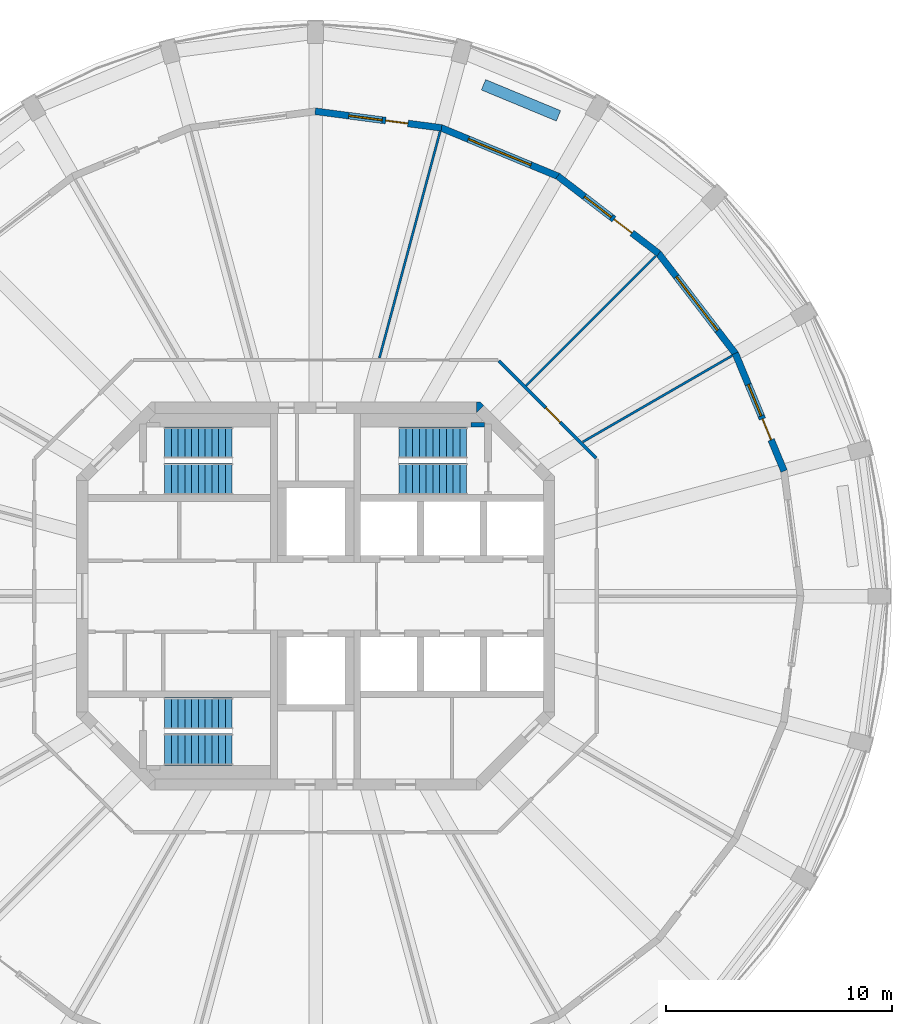
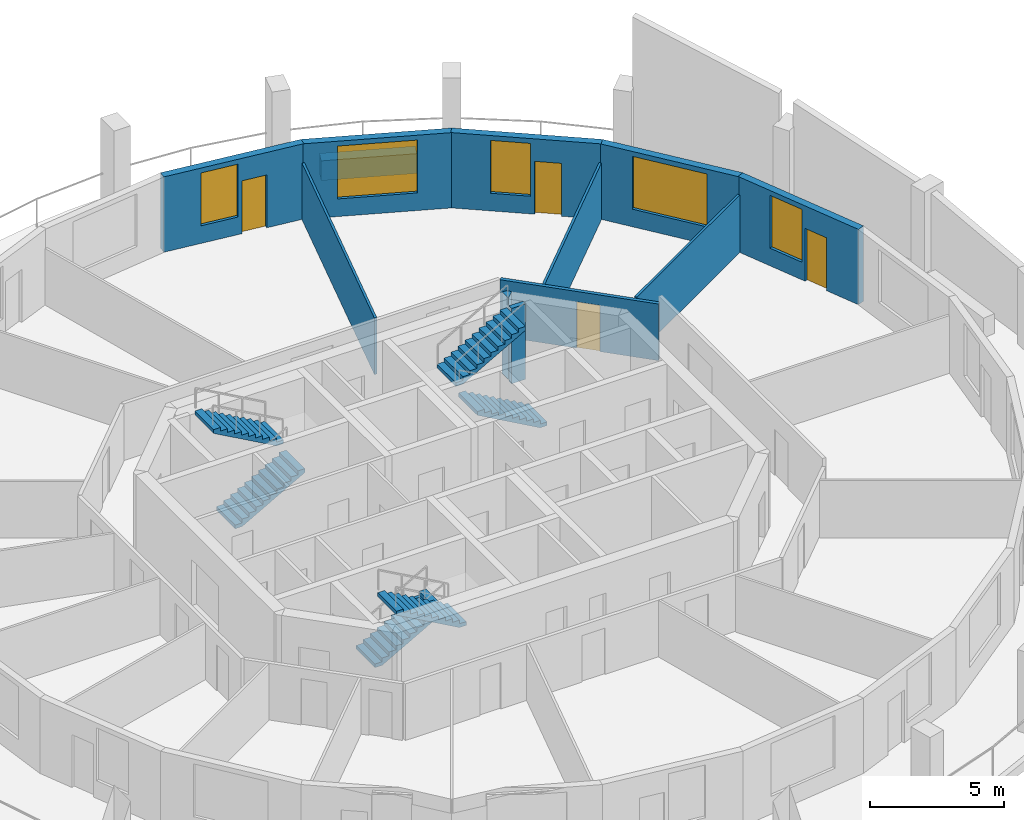
# One storey, part 6 of 8: 12 walls, 6 stair flights, 5 windows, 4 doors, 9 openings, 3 elements without a shape of their own.
"""IFC4 building model written with IfcOpenShell, lengths in metres."""

import ifcopenshell
import ifcopenshell.guid

model = None  # the IFC model being written
_history = None  # IfcOwnerHistory: only IFC2X3 demands one
_inside = {}  # id of a spatial element -> (the spatial element, [elements in it])
_under = {}  # id of a project, library or spatial element -> (it, [spatial elements below it])
_declared = {}  # id of a project -> (the project, [libraries it declares])
_typed = {}  # id of a type object -> (the type object, [elements of that type])
_made_of = {}  # id of a material, layer set ... -> (it, [elements and type objects made of it])


def new_model(schema):
    """Start an empty IFC model of exactly this schema.

    Asked for "IFC4X3", IfcOpenShell would pick the latest addendum, in which some entities
    have other attributes; the version numbers below select the first issue.
    IFC2X3 requires an IfcOwnerHistory on every rooted entity: one is made here for all.
    """
    global model, _history
    if schema == "IFC4X3":
        model = ifcopenshell.file(schema_version=(4, 3, 0, 0))
    else:
        model = ifcopenshell.file(schema=schema)
    _inside.clear()
    _under.clear()
    _declared.clear()
    _typed.clear()
    _made_of.clear()
    _history = None
    if model.schema == "IFC2X3":
        org = make("IfcOrganization", Name="unknown")
        user = make(
            "IfcPersonAndOrganization",
            ThePerson=make("IfcPerson", FamilyName="unknown"),
            TheOrganization=org,
        )
        app = make(
            "IfcApplication",
            ApplicationDeveloper=org,
            Version="unknown",
            ApplicationFullName="unknown",
            ApplicationIdentifier="unknown",
        )
        _history = make(
            "IfcOwnerHistory",
            OwningUser=user,
            OwningApplication=app,
            ChangeAction="ADDED",
            CreationDate=0,
        )
    return model


def make(cls, **values):
    """One entity of the class cls with the attributes given. An attribute that is None is left unset."""
    return model.create_entity(
        cls, **{name: value for name, value in values.items() if value is not None}
    )


def rooted(cls, **values):
    """An entity with a GlobalId (a new one), such as an element, a storey or a relation."""
    return make(cls, GlobalId=ifcopenshell.guid.new(), OwnerHistory=_history, **values)


def si_unit(unit_type, name, prefix=None):
    """IfcSIUnit, for example si_unit("LENGTHUNIT", "METRE", prefix="MILLI")."""
    return make("IfcSIUnit", UnitType=unit_type, Prefix=prefix, Name=name)


def assignment(units):
    """IfcUnitAssignment: the units of a project."""
    return None if units is None else make("IfcUnitAssignment", Units=units)


def point(xyz):
    """IfcCartesianPoint."""
    return None if xyz is None else make("IfcCartesianPoint", Coordinates=xyz)


def direction(xyz):
    """IfcDirection."""
    return None if xyz is None else make("IfcDirection", DirectionRatios=xyz)


def frame(location, z_axis=None, x_axis=None):
    """IfcAxis2Placement3D, a coordinate frame: its origin and axes. An axis left out is left unset."""
    return make(
        "IfcAxis2Placement3D",
        Location=point(location),
        Axis=direction(z_axis),
        RefDirection=direction(x_axis),
    )


def frame_2d(location, x_axis=None):
    """IfcAxis2Placement2D, a coordinate frame in the plane: its origin and x axis."""
    return make(
        "IfcAxis2Placement2D", Location=point(location), RefDirection=direction(x_axis)
    )


def origin():
    """The frame at (0, 0, 0) with its axes left unset."""
    return frame((0.0, 0.0, 0.0))


def place(relative_to, where):
    """IfcLocalPlacement: puts the frame where relative to a parent placement (None: the world)."""
    return make(
        "IfcLocalPlacement", PlacementRelTo=relative_to, RelativePlacement=where
    )


def context(
    kind, dimensions, precision=None, world=None, true_north=None, identifier=None
):
    """IfcGeometricRepresentationContext, for example the 3D "Model" context."""
    return make(
        "IfcGeometricRepresentationContext",
        ContextIdentifier=identifier,
        ContextType=kind,
        CoordinateSpaceDimension=dimensions,
        Precision=precision,
        WorldCoordinateSystem=world,
        TrueNorth=true_north,
    )


def subcontext(parent, identifier, kind, view, scale=None):
    """IfcGeometricRepresentationSubContext, for example "Body" below "Model"."""
    return make(
        "IfcGeometricRepresentationSubContext",
        ContextIdentifier=identifier,
        ContextType=kind,
        ParentContext=parent,
        TargetScale=scale,
        TargetView=view,
    )


def project(units=None, contexts=None):
    """IfcProject with its units and contexts."""
    return rooted(
        "IfcProject",
        Name="project",
        RepresentationContexts=contexts,
        UnitsInContext=assignment(units),
    )


def spatial(cls, under=None, at=None, **own):
    """A site, building, storey or space (cls), placed at a placement, below another one or the project."""
    s = rooted(cls, ObjectPlacement=at, **own)
    if under is not None:
        _under.setdefault(under.id(), (under, []))[1].append(s)
    return s


def polyline(points):
    """IfcPolyline through the points."""
    return make("IfcPolyline", Points=[point(p) for p in points])


def profile(cls, at=None, kind="AREA", **sizes):
    """A parametric profile (cls). Its sizes go by their IFC names, for example OverallWidth=200.0."""
    return make(cls, ProfileType=kind, Position=at, **sizes)


def rectangle(**sizes):
    """IfcRectangleProfileDef."""
    return profile("IfcRectangleProfileDef", **sizes)


def outline(outer, holes=None, kind="AREA"):
    """IfcArbitraryClosedProfileDef: a profile drawn as a closed curve; with holes, ...WithVoids."""
    if holes is None:
        return make("IfcArbitraryClosedProfileDef", ProfileType=kind, OuterCurve=outer)
    return make(
        "IfcArbitraryProfileDefWithVoids",
        ProfileType=kind,
        OuterCurve=outer,
        InnerCurves=holes,
    )


def extrude(swept, where, along, depth):
    """IfcExtrudedAreaSolid: the profile swept, set in the frame where, extruded along a direction by depth."""
    return make(
        "IfcExtrudedAreaSolid",
        SweptArea=swept,
        Position=where,
        ExtrudedDirection=direction(along),
        Depth=depth,
    )


def shape(context_of_items, identifier, shape_type, items):
    """IfcShapeRepresentation: the items that make up one representation, for example the "Body"."""
    return make(
        "IfcShapeRepresentation",
        ContextOfItems=context_of_items,
        RepresentationIdentifier=identifier,
        RepresentationType=shape_type,
        Items=items,
    )


def material(Name=None, Category=None):
    """IfcMaterial."""
    return make("IfcMaterial", Name=Name, Category=Category)


def layer(
    of_material, thickness, ventilated=None, Name=None, Category=None, Priority=None
):
    """IfcMaterialLayer: one layer of a wall or slab, of a material (None: an air gap)."""
    return make(
        "IfcMaterialLayer",
        Material=of_material,
        LayerThickness=thickness,
        IsVentilated=ventilated,
        Name=Name,
        Category=Category,
        Priority=Priority,
    )


def layer_set(layers, Name=None):
    """IfcMaterialLayerSet."""
    return make("IfcMaterialLayerSet", MaterialLayers=layers, LayerSetName=Name)


def made_of(thing, what):
    """Note that an element or type object is made of a material, layer set ...; save() writes the relation."""
    if what is not None:
        _made_of.setdefault(what.id(), (what, []))[1].append(thing)
    return thing


def type_object(cls, material=None, **own):
    """A type object (cls), such as IfcWallType, which elements share."""
    return made_of(rooted(cls, **own), material)


def element(
    cls,
    number,
    at=None,
    inside=None,
    cuts=None,
    type_object=None,
    material=None,
    context=None,
    identifier="Body",
    shape_type=None,
    held_by="IfcProductDefinitionShape",
    body=None,
    shapes=None,
    **own,
):
    """One element of the class cls, such as IfcWall. Its Tag is "e" and its number.

    at: its placement. inside: the storey or other place that contains it. cuts: it is an
    opening in that element (IfcRelVoidsElement). A single representation is given by context,
    identifier, shape_type and body (its items); several are given by shapes. held_by: the class
    of the entity that holds the representations. save() writes the other relations.
    """
    e = rooted(cls, Tag="e%d" % number, ObjectPlacement=at, **own)
    if body is not None:
        shapes = [shape(context, identifier, shape_type, body)]
    if shapes is not None:
        e.Representation = make(held_by, Representations=shapes)
    if inside is not None:
        _inside.setdefault(inside.id(), (inside, []))[1].append(e)
    if cuts is not None:
        rooted(
            "IfcRelVoidsElement", RelatingBuildingElement=cuts, RelatedOpeningElement=e
        )
    if type_object is not None:
        _typed.setdefault(type_object.id(), (type_object, []))[1].append(e)
    return made_of(e, material)


def fill(opening, filler):
    """IfcRelFillsElement: the door or window that sits in an opening."""
    return rooted(
        "IfcRelFillsElement",
        RelatingOpeningElement=opening,
        RelatedBuildingElement=filler,
    )


def aggregate(whole, parts):
    """IfcRelAggregates: a whole, such as a stair, and the parts it consists of."""
    return rooted("IfcRelAggregates", RelatingObject=whole, RelatedObjects=parts)


def save(model, path):
    """Write the relations noted so far, then the file.

    IfcRelAggregates (storeys below a building ...), IfcRelContainedInSpatialStructure (elements
    in a storey), IfcRelDefinesByType, IfcRelAssociatesMaterial and IfcRelDeclares: one each for
    every whole, place, type object, material and project.
    """
    for whole, parts in _under.values():
        aggregate(whole, parts)
    for where, things in _inside.values():
        rooted(
            "IfcRelContainedInSpatialStructure",
            RelatedElements=things,
            RelatingStructure=where,
        )
    for kind, things in _typed.values():
        rooted("IfcRelDefinesByType", RelatedObjects=things, RelatingType=kind)
    for what, things in _made_of.values():
        rooted("IfcRelAssociatesMaterial", RelatedObjects=things, RelatingMaterial=what)
    for by, libraries in _declared.values():
        rooted("IfcRelDeclares", RelatingContext=by, RelatedDefinitions=libraries)
    model.write(path)


model = new_model("IFC4")

# Units and contexts
model_context = context("Model", 3, precision=1e-05, world=origin(), true_north=direction((0.0, 1.0)))
body_context = subcontext(model_context, "Body", "Model", "MODEL_VIEW")
ifc_project = project(units=[si_unit("LENGTHUNIT", "METRE"), si_unit("AREAUNIT", "SQUARE_METRE"), si_unit("VOLUMEUNIT", "CUBIC_METRE"), si_unit("PLANEANGLEUNIT", "RADIAN"), si_unit("MASSUNIT", "GRAM", prefix="KILO")], contexts=[model_context])

# Site, building, storey
site_placement = place(None, origin())
site = spatial("IfcSite", under=ifc_project, at=site_placement, CompositionType="ELEMENT")
building_placement = place(site_placement, origin())
building = spatial("IfcBuilding", under=site, at=building_placement, Name="Torre Triforio", CompositionType="ELEMENT")
storey_placement = place(building_placement, frame((0.0, 0.0, 287.10009765625)))
storey = spatial("IfcBuildingStorey", under=building, at=storey_placement, Name="L66", CompositionType="ELEMENT", Elevation=287.10009765625)

# Wall
ifc_material_1 = material(Name="Concrete C40", Category="concrete")
ifc_layer_1 = layer(ifc_material_1, 0.5)
ifc_layer_set_1 = layer_set([ifc_layer_1], Name="Concrete C40")
wall_type_1 = type_object("IfcWallType", Name="Core wall 500 mm C40 EI 120", PredefinedType="SHEAR", material=ifc_layer_set_1)
wall_1_placement = place(storey_placement, frame((0.0, 0.0, -0.280029296875)))
element("IfcWall", 1, at=wall_1_placement, inside=storey, type_object=wall_type_1, Name="Core wall", PredefinedType="SHEAR", context=body_context, shape_type="SweptSolid", body=[
    extrude(outline(polyline([(7.30712890625, 8.60009765625), (7.45361328125, 8.45361328125), (7.1298828125, 8.1298828125), (7.1298828125, 8.60009765625), (7.30712890625, 8.60009765625)])), origin(), (0.0, 0.0, 1.0), 3.699951171875),
])

# Wall, opening, door
ifc_material_2 = material(Name="Plasterboard on metal studs")
ifc_layer_2 = layer(ifc_material_2, 0.14990234375)
ifc_layer_set_2 = layer_set([ifc_layer_2], Name="Plasterboard on metal studs")
wall_type_2 = type_object("IfcWallType", Name="Corridor and tenancy wall 150 mm EI 60", PredefinedType="PARTITIONING", material=ifc_layer_set_2)
wall_2_placement = place(storey_placement, frame((8.120849609375, 10.43798828125, 0.0), z_axis=(0.0, 0.0, 1.0), x_axis=(0.707106781187, -0.707106781187, 0.0)))
wall_2 = element("IfcWall", 2, at=wall_2_placement, inside=storey, type_object=wall_type_2, Name="Partition 7", PredefinedType="PARTITIONING", context=body_context, shape_type="SweptSolid", body=[
    extrude(rectangle(XDim=6.10546875, YDim=0.14990234375, at=frame_2d((3.052734375, 0.0))), origin(), (0.0, 0.0, 1.0), 2.56982421875),
])
opening_1_placement = place(wall_2_placement, frame((2.947509765625, 0.0, 0.0)))
opening_1 = element("IfcOpeningElement", 3, at=opening_1_placement, cuts=wall_2, Name="Opening X1-04", PredefinedType="OPENING", context=body_context, shape_type="SweptSolid", body=[
    extrude(rectangle(XDim=0.89990234375, YDim=2.10009765625, at=frame_2d((0.449951171875, 1.050048828125))), frame((0.0, 0.0849609375, 0.0), z_axis=(0.0, -1.0, 0.0), x_axis=(1.0, 0.0, 0.0)), (0.0, 0.0, 1.0), 0.169921875),
])
ifc_material_3 = material(Name="Timber", Category="wood")
door_type_1 = type_object("IfcDoorType", Name="Door 900 x 2100 single leaf EI 30", OperationType="NOTDEFINED", PredefinedType="DOOR", material=ifc_material_3)
door_1_placement = place(opening_1_placement, origin())
door_1 = element("IfcDoor", 4, at=door_1_placement, inside=storey, type_object=door_type_1, Name="Door X1-04", OperationType="SINGLE_SWING_LEFT", OverallHeight=2.10009765625, OverallWidth=0.89990234375, PredefinedType="DOOR", context=body_context, shape_type="SweptSolid", body=[
    extrude(rectangle(XDim=0.89990234375, YDim=2.10009765625, at=frame_2d((0.449951171875, 1.050048828125))), frame((0.0, 0.02490234375, 0.0), z_axis=(0.0, -1.0, 0.0), x_axis=(1.0, 0.0, 0.0)), (0.0, 0.0, 1.0), 0.050048828125),
])
fill(opening_1, door_1)

# Walls
ifc_layer_3 = layer(ifc_material_2, 0.10009765625)
ifc_layer_set_3 = layer_set([ifc_layer_3], Name="Plasterboard on metal studs")
wall_type_3 = type_object("IfcWallType", Name="Partition 100 mm board on metal studs", PredefinedType="PARTITIONING", material=ifc_layer_set_3)
wall_3_placement = place(storey_placement, frame((11.845947265625, 6.839111328125, 0.0), z_axis=(0.0, 0.0, 1.0), x_axis=(0.866007734672, 0.500030602552, 0.0)))
element("IfcWall", 5, at=wall_3_placement, inside=storey, type_object=wall_type_3, Name="Partition 10", PredefinedType="PARTITIONING", context=body_context, shape_type="SweptSolid", body=[
    extrude(rectangle(XDim=7.658203125, YDim=0.10009765625, at=frame_2d((3.8291015625, 0.0))), origin(), (0.0, 0.0, 1.0), 2.619873046875),
])
wall_4_placement = place(storey_placement, frame((9.33251953125, 9.33251953125, 0.0), z_axis=(0.0, 0.0, 1.0), x_axis=(0.707106781187, 0.707106781187, 0.0)))
element("IfcWall", 6, at=wall_4_placement, inside=storey, type_object=wall_type_3, Name="Partition 11", PredefinedType="PARTITIONING", context=body_context, shape_type="SweptSolid", body=[
    extrude(rectangle(XDim=8.138671875, YDim=0.10009765625, at=frame_2d((4.0693359375, 0.0))), origin(), (0.0, 0.0, 1.0), 2.56982421875),
])
wall_5_placement = place(storey_placement, frame((2.830810546875, 10.564208984375, 0.0), z_axis=(0.0, 0.0, 1.0), x_axis=(0.258796321138, 0.965931914871, 0.0)))
element("IfcWall", 7, at=wall_5_placement, inside=storey, type_object=wall_type_3, Name="Partition 12", PredefinedType="PARTITIONING", context=body_context, shape_type="SweptSolid", body=[
    extrude(rectangle(XDim=10.399658203125, YDim=0.10009765625, at=frame_2d((5.19970703125, 0.0))), origin(), (0.0, 0.0, 1.0), 2.56982421875),
])
ifc_material_4 = material(Name="Limestone cladding", Category="masonry")
ifc_layer_4 = layer(ifc_material_4, 0.10009765625)
ifc_layer_5 = layer(ifc_material_1, 0.39990234375)
ifc_layer_set_4 = layer_set([ifc_layer_4, ifc_layer_5], Name="Limestone cladding / Concrete C40")
wall_type_4 = type_object("IfcWallType", Name="Planter wall 500", PredefinedType="PARAPET", material=ifc_layer_set_4)
wall_6_placement = place(storey_placement, frame((10.770751953125, 21.299560546875, 0.0), z_axis=(0.0, 0.0, 1.0), x_axis=(-0.923875488976, 0.382693194178, 0.0)))
element("IfcWall", 8, at=wall_6_placement, inside=storey, type_object=wall_type_4, Name="Planter L66 bay 05", PredefinedType="PARAPET", context=body_context, shape_type="SweptSolid", body=[
    extrude(rectangle(XDim=3.599853515625, YDim=0.5, at=frame_2d((1.7998046875, 0.0))), origin(), (0.0, 0.0, 1.0), 0.89990234375),
])
ifc_layer_6 = layer(ifc_material_1, 0.199951171875)
ifc_layer_set_5 = layer_set([ifc_layer_6], Name="Concrete C40")
wall_type_5 = type_object("IfcWallType", Name="Stair wall 200 mm C40 EI 120", PredefinedType="SHEAR", material=ifc_layer_set_5)
wall_7_placement = place(storey_placement, frame((6.89990234375, 7.60009765625, 0.0), z_axis=(0.0, 0.0, 1.0), x_axis=(1.0, 0.0, 0.0)))
element("IfcWall", 9, at=wall_7_placement, inside=storey, type_object=wall_type_5, Name="Stair wall", PredefinedType="SHEAR", context=body_context, shape_type="SweptSolid", body=[
    extrude(rectangle(XDim=0.60009765625, YDim=0.199951171875, at=frame_2d((0.300048828125, 0.0))), origin(), (0.0, 0.0, 1.0), 3.419921875),
])

# Wall, openings, door, window
ifc_layer_7 = layer(ifc_material_4, 0.10009765625)
ifc_layer_8 = layer(ifc_material_1, 0.199951171875)
ifc_layer_set_6 = layer_set([ifc_layer_7, ifc_layer_8], Name="Limestone cladding / Concrete C40")
wall_type_6 = type_object("IfcWallType", Name="Stone-faced composite wall 300", PredefinedType="STANDARD", material=ifc_layer_set_6)
wall_8_placement = place(storey_placement, frame((20.77490234375, 5.54638671875, 0.0), z_axis=(0.0, 0.0, 1.0), x_axis=(-0.382660798975, 0.923888907244, 0.0)))
wall_8 = element("IfcWall", 10, at=wall_8_placement, inside=storey, type_object=wall_type_6, Name="External wall L66 bay 02", PredefinedType="STANDARD", context=body_context, shape_type="SweptSolid", body=[
    extrude(rectangle(XDim=5.652099609375, YDim=0.300048828125, at=frame_2d((2.826171875, 0.0))), origin(), (0.0, 0.0, 1.0), 3.419921875),
])
opening_2_placement = place(wall_8_placement, frame((1.501220703125, 0.0, 0.0)))
opening_2 = element("IfcOpeningElement", 11, at=opening_2_placement, cuts=wall_8, Name="Opening X1-D02", PredefinedType="OPENING", context=body_context, shape_type="SweptSolid", body=[
    extrude(rectangle(XDim=1.0, YDim=2.39990234375, at=frame_2d((0.5, 1.199951171875))), frame((0.0, 0.159912109375, 0.0), z_axis=(0.0, -1.0, 0.0), x_axis=(1.0, 0.0, 0.0)), (0.0, 0.0, 1.0), 0.320068359375),
])
opening_3_placement = place(wall_8_placement, frame((2.651123046875, 0.0, 0.800048828125)))
opening_3 = element("IfcOpeningElement", 12, at=opening_3_placement, cuts=wall_8, Name="Opening X1-W02A", PredefinedType="OPENING", context=body_context, shape_type="SweptSolid", body=[
    extrude(rectangle(XDim=1.5, YDim=2.39990234375, at=frame_2d((0.75, 1.199951171875))), frame((0.0, 0.159912109375, 0.0), z_axis=(0.0, -1.0, 0.0), x_axis=(1.0, 0.0, 0.0)), (0.0, 0.0, 1.0), 0.320068359375),
])
ifc_material_5 = material(Name="Aluminium frame with clear double glazing", Category="aluminium")
door_type_2 = type_object("IfcDoorType", Name="Loggia door 1000 x 2400", OperationType="NOTDEFINED", PredefinedType="DOOR", material=ifc_material_5)
door_2_placement = place(opening_2_placement, origin())
door_2 = element("IfcDoor", 13, at=door_2_placement, inside=storey, type_object=door_type_2, Name="Loggia door L66 bay 02", OperationType="SINGLE_SWING_LEFT", OverallHeight=2.39990234375, OverallWidth=1.0, PredefinedType="DOOR", context=body_context, shape_type="SweptSolid", body=[
    extrude(rectangle(XDim=1.0, YDim=2.39990234375, at=frame_2d((0.5, 1.199951171875))), frame((0.0, 0.02490234375, 0.0), z_axis=(0.0, -1.0, 0.0), x_axis=(1.0, 0.0, 0.0)), (0.0, 0.0, 1.0), 0.050048828125),
])
fill(opening_2, door_2)
window_type_1 = type_object("IfcWindowType", Name="Side window 1500 x 2400", PartitioningType="SINGLE_PANEL", PredefinedType="WINDOW", material=ifc_material_5)
window_1_placement = place(opening_3_placement, origin())
window_1 = element("IfcWindow", 14, at=window_1_placement, inside=storey, type_object=window_type_1, Name="Side window EWN14 L66 bay 02", OverallHeight=2.39990234375, OverallWidth=1.5, PartitioningType="SINGLE_PANEL", PredefinedType="WINDOW", context=body_context, shape_type="SweptSolid", body=[
    extrude(rectangle(XDim=1.5, YDim=2.39990234375, at=frame_2d((0.75, 1.199951171875))), frame((0.0, 0.030029296875, 0.0), z_axis=(0.0, -1.0, 0.0), x_axis=(1.0, 0.0, 0.0)), (0.0, 0.0, 1.0), 0.06005859375),
])
fill(opening_3, window_1)

# Wall, opening, window
wall_9_placement = place(storey_placement, frame((18.631591796875, 10.734375, 0.0), z_axis=(0.0, 0.0, 1.0), x_axis=(-0.608747976925, 0.793363662257, 0.0)))
wall_9 = element("IfcWall", 15, at=wall_9_placement, inside=storey, type_object=wall_type_6, Name="External wall L66 bay 03", PredefinedType="STANDARD", context=body_context, shape_type="SweptSolid", body=[
    extrude(rectangle(XDim=5.652099609375, YDim=0.300048828125, at=frame_2d((2.826171875, 0.0))), origin(), (0.0, 0.0, 1.0), 3.419921875),
])
opening_4_placement = place(wall_9_placement, frame((1.326171875, 0.0, 0.800048828125)))
opening_4 = element("IfcOpeningElement", 16, at=opening_4_placement, cuts=wall_9, Name="Opening X1-W03", PredefinedType="OPENING", context=body_context, shape_type="SweptSolid", body=[
    extrude(rectangle(XDim=3.0, YDim=2.39990234375, at=frame_2d((1.5, 1.199951171875))), frame((0.0, 0.159912109375, 0.0), z_axis=(0.0, -1.0, 0.0), x_axis=(1.0, 0.0, 0.0)), (0.0, 0.0, 1.0), 0.320068359375),
])
window_type_2 = type_object("IfcWindowType", Name="Punched window 3000 x 2400", PartitioningType="DOUBLE_PANEL_VERTICAL", PredefinedType="WINDOW", material=ifc_material_5)
window_2_placement = place(opening_4_placement, origin())
window_2 = element("IfcWindow", 17, at=window_2_placement, inside=storey, type_object=window_type_2, Name="Window EWN6 L66 bay 03", OverallHeight=2.39990234375, OverallWidth=3.0, PartitioningType="SINGLE_PANEL", PredefinedType="WINDOW", context=body_context, shape_type="SweptSolid", body=[
    extrude(rectangle(XDim=3.0, YDim=2.39990234375, at=frame_2d((1.5, 1.199951171875))), frame((0.0, 0.030029296875, 0.0), z_axis=(0.0, -1.0, 0.0), x_axis=(1.0, 0.0, 0.0)), (0.0, 0.0, 1.0), 0.06005859375),
])
fill(opening_4, window_2)

# Wall, openings, door, window
wall_10_placement = place(storey_placement, frame((15.218505859375, 15.19091796875, 0.0), z_axis=(0.0, 0.0, 1.0), x_axis=(-0.793363662257, 0.608747976925, 0.0)))
wall_10 = element("IfcWall", 18, at=wall_10_placement, inside=storey, type_object=wall_type_6, Name="External wall L66 bay 04", PredefinedType="STANDARD", context=body_context, shape_type="SweptSolid", body=[
    extrude(rectangle(XDim=5.652099609375, YDim=0.300048828125, at=frame_2d((2.826171875, 0.0))), origin(), (0.0, 0.0, 1.0), 3.419921875),
])
opening_5_placement = place(wall_10_placement, frame((1.501220703125, 0.0, 0.0)))
opening_5 = element("IfcOpeningElement", 19, at=opening_5_placement, cuts=wall_10, Name="Opening X1-D04", PredefinedType="OPENING", context=body_context, shape_type="SweptSolid", body=[
    extrude(rectangle(XDim=1.0, YDim=2.39990234375, at=frame_2d((0.5, 1.199951171875))), frame((0.0, 0.159912109375, 0.0), z_axis=(0.0, -1.0, 0.0), x_axis=(1.0, 0.0, 0.0)), (0.0, 0.0, 1.0), 0.320068359375),
])
opening_6_placement = place(wall_10_placement, frame((2.651123046875, 0.0, 0.800048828125)))
opening_6 = element("IfcOpeningElement", 20, at=opening_6_placement, cuts=wall_10, Name="Opening X1-W04A", PredefinedType="OPENING", context=body_context, shape_type="SweptSolid", body=[
    extrude(rectangle(XDim=1.5, YDim=2.39990234375, at=frame_2d((0.75, 1.199951171875))), frame((0.0, 0.159912109375, 0.0), z_axis=(0.0, -1.0, 0.0), x_axis=(1.0, 0.0, 0.0)), (0.0, 0.0, 1.0), 0.320068359375),
])
door_3_placement = place(opening_5_placement, origin())
door_3 = element("IfcDoor", 21, at=door_3_placement, inside=storey, type_object=door_type_2, Name="Loggia door L66 bay 04", OperationType="SINGLE_SWING_LEFT", OverallHeight=2.39990234375, OverallWidth=1.0, PredefinedType="DOOR", context=body_context, shape_type="SweptSolid", body=[
    extrude(rectangle(XDim=1.0, YDim=2.39990234375, at=frame_2d((0.5, 1.199951171875))), frame((0.0, 0.02490234375, 0.0), z_axis=(0.0, -1.0, 0.0), x_axis=(1.0, 0.0, 0.0)), (0.0, 0.0, 1.0), 0.050048828125),
])
fill(opening_5, door_3)
window_3_placement = place(opening_6_placement, origin())
window_3 = element("IfcWindow", 22, at=window_3_placement, inside=storey, type_object=window_type_1, Name="Side window EWN14 L66 bay 04", OverallHeight=2.39990234375, OverallWidth=1.5, PartitioningType="SINGLE_PANEL", PredefinedType="WINDOW", context=body_context, shape_type="SweptSolid", body=[
    extrude(rectangle(XDim=1.5, YDim=2.39990234375, at=frame_2d((0.75, 1.199951171875))), frame((0.0, 0.030029296875, 0.0), z_axis=(0.0, -1.0, 0.0), x_axis=(1.0, 0.0, 0.0)), (0.0, 0.0, 1.0), 0.06005859375),
])
fill(opening_6, window_3)

# Wall, opening, window
wall_11_placement = place(storey_placement, frame((10.768310546875, 18.612060546875, 0.0), z_axis=(0.0, 0.0, 1.0), x_axis=(-0.923888907244, 0.382660798975, 0.0)))
wall_11 = element("IfcWall", 23, at=wall_11_placement, inside=storey, type_object=wall_type_6, Name="External wall L66 bay 05", PredefinedType="STANDARD", context=body_context, shape_type="SweptSolid", body=[
    extrude(rectangle(XDim=5.652099609375, YDim=0.300048828125, at=frame_2d((2.826171875, 0.0))), origin(), (0.0, 0.0, 1.0), 3.419921875),
])
opening_7_placement = place(wall_11_placement, frame((1.326171875, 0.0, 0.800048828125)))
opening_7 = element("IfcOpeningElement", 24, at=opening_7_placement, cuts=wall_11, Name="Opening X1-W05", PredefinedType="OPENING", context=body_context, shape_type="SweptSolid", body=[
    extrude(rectangle(XDim=3.0, YDim=2.39990234375, at=frame_2d((1.5, 1.199951171875))), frame((0.0, 0.159912109375, 0.0), z_axis=(0.0, -1.0, 0.0), x_axis=(1.0, 0.0, 0.0)), (0.0, 0.0, 1.0), 0.320068359375),
])
window_4_placement = place(opening_7_placement, origin())
window_4 = element("IfcWindow", 25, at=window_4_placement, inside=storey, type_object=window_type_2, Name="Window EWN6 L66 bay 05", OverallHeight=2.39990234375, OverallWidth=3.0, PartitioningType="SINGLE_PANEL", PredefinedType="WINDOW", context=body_context, shape_type="SweptSolid", body=[
    extrude(rectangle(XDim=3.0, YDim=2.39990234375, at=frame_2d((1.5, 1.199951171875))), frame((0.0, 0.030029296875, 0.0), z_axis=(0.0, -1.0, 0.0), x_axis=(1.0, 0.0, 0.0)), (0.0, 0.0, 1.0), 0.06005859375),
])
fill(opening_7, window_4)

# Wall, openings, door, window
wall_12_placement = place(storey_placement, frame((5.584228515625, 20.764892578125, 0.0), z_axis=(0.0, 0.0, 1.0), x_axis=(-0.991443853938, 0.130533844229, 0.0)))
wall_12 = element("IfcWall", 26, at=wall_12_placement, inside=storey, type_object=wall_type_6, Name="External wall L66 bay 06", PredefinedType="STANDARD", context=body_context, shape_type="SweptSolid", body=[
    extrude(rectangle(XDim=5.652099609375, YDim=0.300048828125, at=frame_2d((2.826171875, 0.0))), origin(), (0.0, 0.0, 1.0), 3.419921875),
])
opening_8_placement = place(wall_12_placement, frame((1.501220703125, 0.0, 0.0)))
opening_8 = element("IfcOpeningElement", 27, at=opening_8_placement, cuts=wall_12, Name="Opening X1-D06", PredefinedType="OPENING", context=body_context, shape_type="SweptSolid", body=[
    extrude(rectangle(XDim=1.0, YDim=2.39990234375, at=frame_2d((0.5, 1.199951171875))), frame((0.0, 0.159912109375, 0.0), z_axis=(0.0, -1.0, 0.0), x_axis=(1.0, 0.0, 0.0)), (0.0, 0.0, 1.0), 0.320068359375),
])
opening_9_placement = place(wall_12_placement, frame((2.651123046875, 0.0, 0.800048828125)))
opening_9 = element("IfcOpeningElement", 28, at=opening_9_placement, cuts=wall_12, Name="Opening X1-W06A", PredefinedType="OPENING", context=body_context, shape_type="SweptSolid", body=[
    extrude(rectangle(XDim=1.5, YDim=2.39990234375, at=frame_2d((0.75, 1.199951171875))), frame((0.0, 0.159912109375, 0.0), z_axis=(0.0, -1.0, 0.0), x_axis=(1.0, 0.0, 0.0)), (0.0, 0.0, 1.0), 0.320068359375),
])
door_4_placement = place(opening_8_placement, origin())
door_4 = element("IfcDoor", 29, at=door_4_placement, inside=storey, type_object=door_type_2, Name="Loggia door L66 bay 06", OperationType="SINGLE_SWING_LEFT", OverallHeight=2.39990234375, OverallWidth=1.0, PredefinedType="DOOR", context=body_context, shape_type="SweptSolid", body=[
    extrude(rectangle(XDim=1.0, YDim=2.39990234375, at=frame_2d((0.5, 1.199951171875))), frame((0.0, 0.02490234375, 0.0), z_axis=(0.0, -1.0, 0.0), x_axis=(1.0, 0.0, 0.0)), (0.0, 0.0, 1.0), 0.050048828125),
])
fill(opening_8, door_4)
window_5_placement = place(opening_9_placement, origin())
window_5 = element("IfcWindow", 30, at=window_5_placement, inside=storey, type_object=window_type_1, Name="Side window EWN14 L66 bay 06", OverallHeight=2.39990234375, OverallWidth=1.5, PartitioningType="SINGLE_PANEL", PredefinedType="WINDOW", context=body_context, shape_type="SweptSolid", body=[
    extrude(rectangle(XDim=1.5, YDim=2.39990234375, at=frame_2d((0.75, 1.199951171875))), frame((0.0, 0.030029296875, 0.0), z_axis=(0.0, -1.0, 0.0), x_axis=(1.0, 0.0, 0.0)), (0.0, 0.0, 1.0), 0.06005859375),
])
fill(opening_9, window_5)

# Stair, stair flights
stair_type = type_object("IfcStairType", Name="STAIR HALF-TURN", PredefinedType="HALF_TURN_STAIR", material=ifc_material_1)
stair_1_placement = place(storey_placement, origin())
stair_1 = element("IfcStair", 31, at=stair_1_placement, inside=storey, type_object=stair_type, Name="Exit stair 1", PredefinedType="HALF_TURN_STAIR")
stair_flight_type = type_object("IfcStairFlightType", Name="STAIR FLIGHT 1400", PredefinedType="STRAIGHT", material=ifc_material_1)
stair_flight_1_placement = place(storey_placement, frame((-6.699951171875, 5.199951171875, 0.0), z_axis=(0.0, 0.0, 1.0), x_axis=(1.0, 0.0, 0.0)))
stair_flight_1 = element("IfcStairFlight", 32, at=stair_flight_1_placement, type_object=stair_flight_type, Name="ST1 flight 1", NumberOfRisers=11, NumberOfTreads=10, PredefinedType="STRAIGHT", RiserHeight=0.168181818, TreadLength=0.3, context=body_context, shape_type="SweptSolid", body=[
    extrude(outline(polyline([(0.0, 0.0), (0.0, 0.168212890625), (0.300048828125, 0.168212890625), (0.300048828125, 0.33642578125), (0.60009765625, 0.33642578125), (0.60009765625, 0.504638671875), (0.89990234375, 0.504638671875), (0.89990234375, 0.672607421875), (1.199951171875, 0.672607421875), (1.199951171875, 0.8408203125), (1.5, 0.8408203125), (1.5, 1.009033203125), (1.800048828125, 1.009033203125), (1.800048828125, 1.17724609375), (2.10009765625, 1.17724609375), (2.10009765625, 1.345458984375), (2.39990234375, 1.345458984375), (2.39990234375, 1.513671875), (2.699951171875, 1.513671875), (2.699951171875, 1.681884765625), (3.0, 1.681884765625), (3.0, 1.85009765625), (3.0, 1.510009765625), (0.306640625, 0.0), (0.0, 0.0)])), frame((0.0, 0.699951171875, 0.0), z_axis=(0.0, -1.0, 0.0), x_axis=(1.0, 0.0, 0.0)), (0.0, 0.0, 1.0), 1.39990234375),
])
stair_flight_2_placement = place(storey_placement, frame((-3.699951171875, 6.800048828125, 1.849853515625), z_axis=(0.0, 0.0, 1.0), x_axis=(-1.0, 0.0, 0.0)))
stair_flight_2 = element("IfcStairFlight", 33, at=stair_flight_2_placement, type_object=stair_flight_type, Name="ST1 flight 2", NumberOfRisers=11, NumberOfTreads=10, PredefinedType="STRAIGHT", RiserHeight=0.168181818, TreadLength=0.3, context=body_context, shape_type="SweptSolid", body=[
    extrude(outline(polyline([(0.0, 0.0), (0.0, 0.168212890625), (0.300048828125, 0.168212890625), (0.300048828125, 0.33642578125), (0.60009765625, 0.33642578125), (0.60009765625, 0.504638671875), (0.89990234375, 0.504638671875), (0.89990234375, 0.672607421875), (1.199951171875, 0.672607421875), (1.199951171875, 0.8408203125), (1.5, 0.8408203125), (1.5, 1.009033203125), (1.800048828125, 1.009033203125), (1.800048828125, 1.17724609375), (2.10009765625, 1.17724609375), (2.10009765625, 1.345458984375), (2.39990234375, 1.345458984375), (2.39990234375, 1.513671875), (2.699951171875, 1.513671875), (2.699951171875, 1.681884765625), (3.0, 1.681884765625), (3.0, 1.85009765625), (3.0, 1.510009765625), (0.306640625, 0.0), (0.0, 0.0)])), frame((0.0, 0.699951171875, 0.0), z_axis=(0.0, -1.0, 0.0), x_axis=(1.0, 0.0, 0.0)), (0.0, 0.0, 1.0), 1.39990234375),
])
aggregate(stair_1, [stair_flight_1, stair_flight_2])

stair_2_placement = place(storey_placement, origin())
stair_2 = element("IfcStair", 34, at=stair_2_placement, inside=storey, type_object=stair_type, Name="Exit stair 2", PredefinedType="HALF_TURN_STAIR")
stair_flight_3_placement = place(storey_placement, frame((6.699951171875, 5.199951171875, 0.0), z_axis=(0.0, 0.0, 1.0), x_axis=(-1.0, 0.0, 0.0)))
stair_flight_3 = element("IfcStairFlight", 35, at=stair_flight_3_placement, type_object=stair_flight_type, Name="ST2 flight 1", NumberOfRisers=11, NumberOfTreads=10, PredefinedType="STRAIGHT", RiserHeight=0.168181818, TreadLength=0.3, context=body_context, shape_type="SweptSolid", body=[
    extrude(outline(polyline([(0.0, 0.0), (0.0, 0.168212890625), (0.300048828125, 0.168212890625), (0.300048828125, 0.33642578125), (0.60009765625, 0.33642578125), (0.60009765625, 0.504638671875), (0.89990234375, 0.504638671875), (0.89990234375, 0.672607421875), (1.199951171875, 0.672607421875), (1.199951171875, 0.8408203125), (1.5, 0.8408203125), (1.5, 1.009033203125), (1.800048828125, 1.009033203125), (1.800048828125, 1.17724609375), (2.10009765625, 1.17724609375), (2.10009765625, 1.345458984375), (2.39990234375, 1.345458984375), (2.39990234375, 1.513671875), (2.699951171875, 1.513671875), (2.699951171875, 1.681884765625), (3.0, 1.681884765625), (3.0, 1.85009765625), (3.0, 1.510009765625), (0.306640625, 0.0), (0.0, 0.0)])), frame((0.0, 0.699951171875, 0.0), z_axis=(0.0, -1.0, 0.0), x_axis=(1.0, 0.0, 0.0)), (0.0, 0.0, 1.0), 1.39990234375),
])
stair_flight_4_placement = place(storey_placement, frame((3.699951171875, 6.800048828125, 1.849853515625), z_axis=(0.0, 0.0, 1.0), x_axis=(1.0, 0.0, 0.0)))
stair_flight_4 = element("IfcStairFlight", 36, at=stair_flight_4_placement, type_object=stair_flight_type, Name="ST2 flight 2", NumberOfRisers=11, NumberOfTreads=10, PredefinedType="STRAIGHT", RiserHeight=0.168181818, TreadLength=0.3, context=body_context, shape_type="SweptSolid", body=[
    extrude(outline(polyline([(0.0, 0.0), (0.0, 0.168212890625), (0.300048828125, 0.168212890625), (0.300048828125, 0.33642578125), (0.60009765625, 0.33642578125), (0.60009765625, 0.504638671875), (0.89990234375, 0.504638671875), (0.89990234375, 0.672607421875), (1.199951171875, 0.672607421875), (1.199951171875, 0.8408203125), (1.5, 0.8408203125), (1.5, 1.009033203125), (1.800048828125, 1.009033203125), (1.800048828125, 1.17724609375), (2.10009765625, 1.17724609375), (2.10009765625, 1.345458984375), (2.39990234375, 1.345458984375), (2.39990234375, 1.513671875), (2.699951171875, 1.513671875), (2.699951171875, 1.681884765625), (3.0, 1.681884765625), (3.0, 1.85009765625), (3.0, 1.510009765625), (0.306640625, 0.0), (0.0, 0.0)])), frame((0.0, 0.699951171875, 0.0), z_axis=(0.0, -1.0, 0.0), x_axis=(1.0, 0.0, 0.0)), (0.0, 0.0, 1.0), 1.39990234375),
])
aggregate(stair_2, [stair_flight_3, stair_flight_4])

stair_3_placement = place(storey_placement, origin())
stair_3 = element("IfcStair", 37, at=stair_3_placement, inside=storey, type_object=stair_type, Name="Exit stair 3", PredefinedType="HALF_TURN_STAIR")
stair_flight_5_placement = place(storey_placement, frame((-6.699951171875, -5.199951171875, 0.0), z_axis=(0.0, 0.0, 1.0), x_axis=(1.0, 0.0, 0.0)))
stair_flight_5 = element("IfcStairFlight", 38, at=stair_flight_5_placement, type_object=stair_flight_type, Name="ST3 flight 1", NumberOfRisers=11, NumberOfTreads=10, PredefinedType="STRAIGHT", RiserHeight=0.168181818, TreadLength=0.3, context=body_context, shape_type="SweptSolid", body=[
    extrude(outline(polyline([(0.0, 0.0), (0.0, 0.168212890625), (0.300048828125, 0.168212890625), (0.300048828125, 0.33642578125), (0.60009765625, 0.33642578125), (0.60009765625, 0.504638671875), (0.89990234375, 0.504638671875), (0.89990234375, 0.672607421875), (1.199951171875, 0.672607421875), (1.199951171875, 0.8408203125), (1.5, 0.8408203125), (1.5, 1.009033203125), (1.800048828125, 1.009033203125), (1.800048828125, 1.17724609375), (2.10009765625, 1.17724609375), (2.10009765625, 1.345458984375), (2.39990234375, 1.345458984375), (2.39990234375, 1.513671875), (2.699951171875, 1.513671875), (2.699951171875, 1.681884765625), (3.0, 1.681884765625), (3.0, 1.85009765625), (3.0, 1.510009765625), (0.306640625, 0.0), (0.0, 0.0)])), frame((0.0, 0.699951171875, 0.0), z_axis=(0.0, -1.0, 0.0), x_axis=(1.0, 0.0, 0.0)), (0.0, 0.0, 1.0), 1.39990234375),
])
stair_flight_6_placement = place(storey_placement, frame((-3.699951171875, -6.800048828125, 1.849853515625), z_axis=(0.0, 0.0, 1.0), x_axis=(-1.0, 0.0, 0.0)))
stair_flight_6 = element("IfcStairFlight", 39, at=stair_flight_6_placement, type_object=stair_flight_type, Name="ST3 flight 2", NumberOfRisers=11, NumberOfTreads=10, PredefinedType="STRAIGHT", RiserHeight=0.168181818, TreadLength=0.3, context=body_context, shape_type="SweptSolid", body=[
    extrude(outline(polyline([(0.0, 0.0), (0.0, 0.168212890625), (0.300048828125, 0.168212890625), (0.300048828125, 0.33642578125), (0.60009765625, 0.33642578125), (0.60009765625, 0.504638671875), (0.89990234375, 0.504638671875), (0.89990234375, 0.672607421875), (1.199951171875, 0.672607421875), (1.199951171875, 0.8408203125), (1.5, 0.8408203125), (1.5, 1.009033203125), (1.800048828125, 1.009033203125), (1.800048828125, 1.17724609375), (2.10009765625, 1.17724609375), (2.10009765625, 1.345458984375), (2.39990234375, 1.345458984375), (2.39990234375, 1.513671875), (2.699951171875, 1.513671875), (2.699951171875, 1.681884765625), (3.0, 1.681884765625), (3.0, 1.85009765625), (3.0, 1.510009765625), (0.306640625, 0.0), (0.0, 0.0)])), frame((0.0, 0.699951171875, 0.0), z_axis=(0.0, -1.0, 0.0), x_axis=(1.0, 0.0, 0.0)), (0.0, 0.0, 1.0), 1.39990234375),
])
aggregate(stair_3, [stair_flight_5, stair_flight_6])

save(model, "model.ifc")
